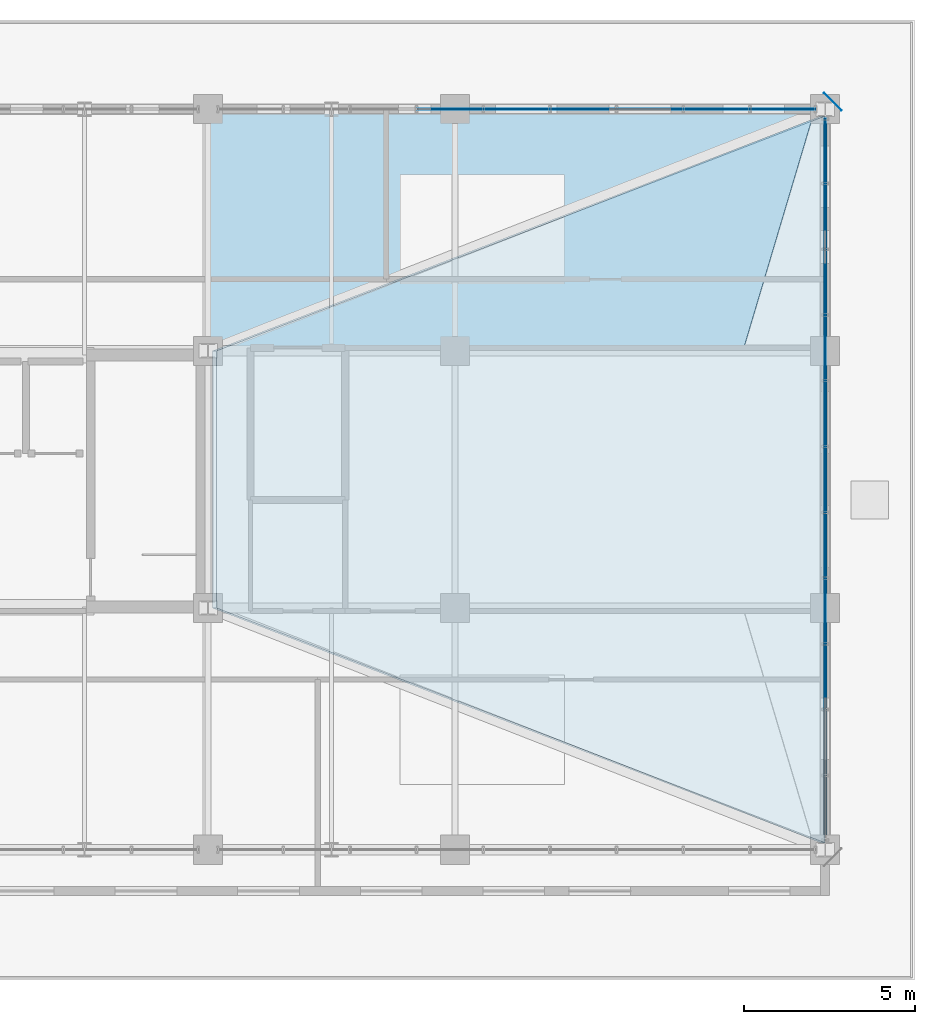
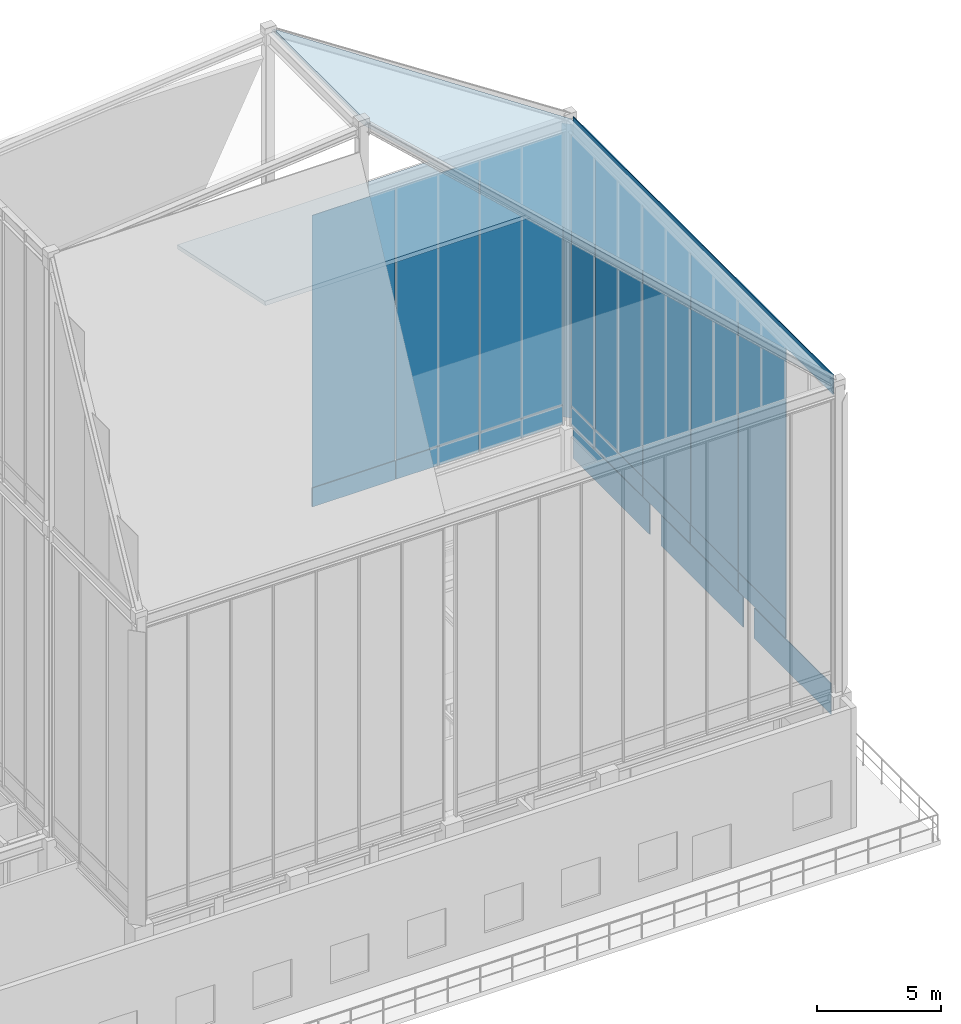
# One storey, part 44 of 49: 21 plates, 2 slabs, 2 elements without a shape of their own.
"""IFC4 building model written with IfcOpenShell, lengths in metres."""

from ifc_helpers import new_model, si_unit, direction, frame, origin, origin_2d, place, context, subcontext, project, spatial, polyline, rectangle, outline, extrude, source, transform, mapped, material, layer, layer_set, type_object, element, aggregate, save


model = new_model("IFC4")

# Units and contexts
model_context = context("Model", 3, precision=1e-05, world=origin(), true_north=direction((0.0, 1.0)))
body_context = subcontext(model_context, "Body", "Model", "MODEL_VIEW")
ifc_project = project(units=[si_unit("LENGTHUNIT", "METRE"), si_unit("AREAUNIT", "SQUARE_METRE"), si_unit("VOLUMEUNIT", "CUBIC_METRE"), si_unit("PLANEANGLEUNIT", "RADIAN"), si_unit("MASSUNIT", "GRAM", prefix="KILO")], contexts=[model_context])

# Site, building, storey
site_placement = place(None, origin())
site = spatial("IfcSite", under=ifc_project, at=site_placement, CompositionType="ELEMENT")
building_placement = place(site_placement, origin())
building = spatial("IfcBuilding", under=site, at=building_placement, Name="Kaliganga Portal Commons", CompositionType="ELEMENT")
storey_placement = place(building_placement, frame((0.0, 0.0, 298.0)))
storey = spatial("IfcBuildingStorey", under=building, at=storey_placement, Name="L77", CompositionType="ELEMENT", Elevation=298.0)

# Slabs
ifc_material_1 = material(Name="Concrete C40/50", Category="concrete")
ifc_layer_1 = layer(ifc_material_1, 0.18994140625)
ifc_layer_set_1 = layer_set([ifc_layer_1], Name="Concrete C40/50")
slab_type = type_object("IfcSlabType", Name="SLB-CANOPY-190", PredefinedType="ROOF", material=ifc_layer_set_1)
slab_1_placement = place(storey_placement, frame((46.800048828125, 21.800048828125, 21.0), z_axis=(0.639887010231, 0.0, 0.768469006621), x_axis=(0.0, 1.0, 0.0)))
element("IfcSlab", 1, at=slab_1_placement, inside=storey, type_object=slab_type, Name="Sculpted Crown Canopy Roof Facet E", PredefinedType="ROOF", context=body_context, shape_type="SweptSolid", body=[
    extrude(outline(polyline([(0.0, 0.0), (21.199951171875, 0.0), (14.349853515625, 23.097873625433216), (6.849853515625, 23.097873625433216), (0.0, 0.0)])), origin(), (0.0, 0.0, -1.0), 0.18994140625),
])
slab_2_placement = place(storey_placement, frame((46.5, 43.199951171875, 21.050048828125), z_axis=(0.0, 0.208106265548, 0.97810622237), x_axis=(-1.0, 0.0, 0.0)))
element("IfcSlab", 2, at=slab_2_placement, inside=storey, type_object=slab_type, Name="Sculpted Crown Canopy Roof Facet WELL_N", PredefinedType="ROOF", context=body_context, shape_type="SweptSolid", body=[
    extrude(outline(polyline([(0.0, 0.0), (17.85009765625, 0.0), (17.85009765625, 7.207856025126105), (2.10009765625, 7.207856025126105), (0.0, 0.0)])), origin(), (0.0, 0.0, -1.0), 0.18994140625),
])

# Curtain wall, plates
ifc_material_2 = material(Name="Anodized Aluminium and Laminated Low-E Glass", Category="aluminium")
ifc_layer_2 = layer(ifc_material_2, 0.25)
ifc_layer_set_2 = layer_set([ifc_layer_2], Name="Anodized Aluminium and Laminated Low-E Glass")
curtain_wall_type = type_object("IfcCurtainWallType", Name="CW-SYS-06", PredefinedType="NOTDEFINED", material=ifc_layer_set_2)
curtain_wall_1_placement = place(storey_placement, origin())
curtain_wall_1 = element("IfcCurtainWall", 3, at=curtain_wall_1_placement, inside=storey, type_object=curtain_wall_type, Name="CW 06 L77 NE", PredefinedType="NOTDEFINED")
ifc_material_3 = material(Name="Insulated Dark Spandrel Panel", Category="metal")
ifc_layer_3 = layer(ifc_material_3, 0.044921875)
ifc_layer_set_3 = layer_set([ifc_layer_3], Name="Insulated Dark Spandrel Panel")
plate_type_1 = type_object("IfcPlateType", Name="PLT-SPN-45", PredefinedType="SHEET", material=ifc_layer_set_3)
shared_shape_1 = source(origin(), body_context, "Body", "SweptSolid", [
    extrude(rectangle(XDim=3.848876953125, YDim=0.044921875, at=origin_2d()), origin(), (0.0, 0.0, 1.0), 0.929931640625),
])
plate_1_placement = place(storey_placement, frame((44.605712890625, 43.199951171875, 6.01025390625), z_axis=(0.0, 0.0, 1.0), x_axis=(-1.0, 0.0, 0.0)))
plate_1 = element("IfcPlate", 4, at=plate_1_placement, type_object=plate_type_1, Name="CW:06:L77:NE Spandrel 00", PredefinedType="SHEET", context=body_context, shape_type="MappedRepresentation", body=[
    mapped(shared_shape_1, transform((0.0, 0.0, 0.0), x_axis=(1.0, 0.0, 0.0), y_axis=(0.0, 1.0, 0.0), z_axis=(0.0, 0.0, 1.0), scale=1.0)),
])
plate_2_placement = place(storey_placement, frame((40.716796875, 43.199951171875, 6.01025390625), z_axis=(0.0, 0.0, 1.0), x_axis=(-1.0, 0.0, 0.0)))
plate_2 = element("IfcPlate", 5, at=plate_2_placement, type_object=plate_type_1, Name="CW:06:L77:NE Spandrel 02", PredefinedType="SHEET", context=body_context, shape_type="MappedRepresentation", body=[
    mapped(shared_shape_1, transform((0.0, 0.0, 0.0), x_axis=(1.0, 0.0, 0.0), y_axis=(0.0, 1.0, 0.0), z_axis=(0.0, 0.0, 1.0), scale=1.0)),
])
plate_3_placement = place(storey_placement, frame((36.827880859375, 43.199951171875, 6.01025390625), z_axis=(0.0, 0.0, 1.0), x_axis=(-1.0, 0.0, 0.0)))
plate_3 = element("IfcPlate", 6, at=plate_3_placement, type_object=plate_type_1, Name="CW:06:L77:NE Spandrel 04", PredefinedType="SHEET", context=body_context, shape_type="MappedRepresentation", body=[
    mapped(shared_shape_1, transform((0.0, 0.0, 0.0), x_axis=(1.0, 0.0, 0.0), y_axis=(0.0, 1.0, 0.0), z_axis=(0.0, 0.0, 1.0), scale=1.0)),
])
ifc_material_4 = material(Name="Dark Solar-Control Laminated Low-E IGU", Category="glass")
ifc_layer_4 = layer(ifc_material_4, 0.028076171875)
ifc_layer_set_4 = layer_set([ifc_layer_4], Name="Dark Solar-Control Laminated Low-E IGU")
plate_type_2 = type_object("IfcPlateType", Name="PLT-GLZ-28", PredefinedType="CURTAIN_PANEL", material=ifc_layer_set_4)
shared_shape_2 = source(origin(), body_context, "Body", "SweptSolid", [
    extrude(rectangle(XDim=3.848876953125, YDim=0.028076171875, at=origin_2d()), origin(), (0.0, 0.0, 1.0), 13.35009765625),
])
plate_4_placement = place(storey_placement, frame((44.605712890625, 43.199951171875, 6.9599609375), z_axis=(0.0, 0.0, 1.0), x_axis=(-1.0, 0.0, 0.0)))
plate_4 = element("IfcPlate", 7, at=plate_4_placement, type_object=plate_type_2, Name="CW:06:L77:NE Vision IGU 00", PredefinedType="CURTAIN_PANEL", context=body_context, shape_type="MappedRepresentation", body=[
    mapped(shared_shape_2, transform((0.0, 0.0, 0.0), x_axis=(1.0, 0.0, 0.0), y_axis=(0.0, 1.0, 0.0), z_axis=(0.0, 0.0, 1.0), scale=1.0)),
])
plate_5_placement = place(storey_placement, frame((40.716796875, 43.199951171875, 6.9599609375), z_axis=(0.0, 0.0, 1.0), x_axis=(-1.0, 0.0, 0.0)))
plate_5 = element("IfcPlate", 8, at=plate_5_placement, type_object=plate_type_2, Name="CW:06:L77:NE Vision IGU 02", PredefinedType="CURTAIN_PANEL", context=body_context, shape_type="MappedRepresentation", body=[
    mapped(shared_shape_2, transform((0.0, 0.0, 0.0), x_axis=(1.0, 0.0, 0.0), y_axis=(0.0, 1.0, 0.0), z_axis=(0.0, 0.0, 1.0), scale=1.0)),
])
plate_6_placement = place(storey_placement, frame((36.827880859375, 43.199951171875, 6.9599609375), z_axis=(0.0, 0.0, 1.0), x_axis=(-1.0, 0.0, 0.0)))
plate_6 = element("IfcPlate", 9, at=plate_6_placement, type_object=plate_type_2, Name="CW:06:L77:NE Vision IGU 04", PredefinedType="CURTAIN_PANEL", context=body_context, shape_type="MappedRepresentation", body=[
    mapped(shared_shape_2, transform((0.0, 0.0, 0.0), x_axis=(1.0, 0.0, 0.0), y_axis=(0.0, 1.0, 0.0), z_axis=(0.0, 0.0, 1.0), scale=1.0)),
])
aggregate(curtain_wall_1, [plate_1, plate_4, plate_2, plate_5, plate_3, plate_6])

curtain_wall_2_placement = place(storey_placement, origin())
curtain_wall_2 = element("IfcCurtainWall", 10, at=curtain_wall_2_placement, inside=storey, type_object=curtain_wall_type, Name="CW 06 L77 E", PredefinedType="NOTDEFINED")
shared_shape_3 = source(origin(), body_context, "Body", "SweptSolid", [
    extrude(rectangle(XDim=3.79638671875, YDim=0.044921875, at=origin_2d()), origin(), (0.0, 0.0, 1.0), 0.929931640625),
])
plate_7_placement = place(storey_placement, frame((46.800048828125, 27.6044921875, 6.01025390625), z_axis=(0.0, 0.0, 1.0), x_axis=(0.0, 1.0, 0.0)))
plate_7 = element("IfcPlate", 11, at=plate_7_placement, type_object=plate_type_1, Name="CW:06:L77:E Spandrel 02", PredefinedType="SHEET", context=body_context, shape_type="MappedRepresentation", body=[
    mapped(shared_shape_3, transform((0.0, 0.0, 0.0), x_axis=(1.0, 0.0, 0.0), y_axis=(0.0, 1.0, 0.0), z_axis=(0.0, 0.0, 1.0), scale=1.0)),
])
plate_8_placement = place(storey_placement, frame((46.800048828125, 31.44091796875, 6.01025390625), z_axis=(0.0, 0.0, 1.0), x_axis=(0.0, 1.0, 0.0)))
plate_8 = element("IfcPlate", 12, at=plate_8_placement, type_object=plate_type_1, Name="CW:06:L77:E Spandrel 04", PredefinedType="SHEET", context=body_context, shape_type="MappedRepresentation", body=[
    mapped(shared_shape_3, transform((0.0, 0.0, 0.0), x_axis=(1.0, 0.0, 0.0), y_axis=(0.0, 1.0, 0.0), z_axis=(0.0, 0.0, 1.0), scale=1.0)),
])
plate_9_placement = place(storey_placement, frame((46.800048828125, 35.27734375, 6.01025390625), z_axis=(0.0, 0.0, 1.0), x_axis=(0.0, 1.0, 0.0)))
plate_9 = element("IfcPlate", 13, at=plate_9_placement, type_object=plate_type_1, Name="CW:06:L77:E Spandrel 06", PredefinedType="SHEET", context=body_context, shape_type="MappedRepresentation", body=[
    mapped(shared_shape_3, transform((0.0, 0.0, 0.0), x_axis=(1.0, 0.0, 0.0), y_axis=(0.0, 1.0, 0.0), z_axis=(0.0, 0.0, 1.0), scale=1.0)),
])
plate_10_placement = place(storey_placement, frame((46.800048828125, 39.113525390625, 6.01025390625), z_axis=(0.0, 0.0, 1.0), x_axis=(0.0, 1.0, 0.0)))
plate_10 = element("IfcPlate", 14, at=plate_10_placement, type_object=plate_type_1, Name="CW:06:L77:E Spandrel 08", PredefinedType="SHEET", context=body_context, shape_type="MappedRepresentation", body=[
    mapped(shared_shape_3, transform((0.0, 0.0, 0.0), x_axis=(1.0, 0.0, 0.0), y_axis=(0.0, 1.0, 0.0), z_axis=(0.0, 0.0, 1.0), scale=1.0)),
])
shared_shape_4 = source(origin(), body_context, "Body", "SweptSolid", [
    extrude(rectangle(XDim=3.79638671875, YDim=0.028076171875, at=origin_2d()), origin(), (0.0, 0.0, 1.0), 13.35009765625),
])
plate_11_placement = place(storey_placement, frame((46.800048828125, 27.6044921875, 6.9599609375), z_axis=(0.0, 0.0, 1.0), x_axis=(0.0, 1.0, 0.0)))
plate_11 = element("IfcPlate", 15, at=plate_11_placement, type_object=plate_type_2, Name="CW:06:L77:E Vision IGU 02", PredefinedType="CURTAIN_PANEL", context=body_context, shape_type="MappedRepresentation", body=[
    mapped(shared_shape_4, transform((0.0, 0.0, 0.0), x_axis=(1.0, 0.0, 0.0), y_axis=(0.0, 1.0, 0.0), z_axis=(0.0, 0.0, 1.0), scale=1.0)),
])
plate_12_placement = place(storey_placement, frame((46.800048828125, 31.44091796875, 6.9599609375), z_axis=(0.0, 0.0, 1.0), x_axis=(0.0, 1.0, 0.0)))
plate_12 = element("IfcPlate", 16, at=plate_12_placement, type_object=plate_type_2, Name="CW:06:L77:E Vision IGU 04", PredefinedType="CURTAIN_PANEL", context=body_context, shape_type="MappedRepresentation", body=[
    mapped(shared_shape_4, transform((0.0, 0.0, 0.0), x_axis=(1.0, 0.0, 0.0), y_axis=(0.0, 1.0, 0.0), z_axis=(0.0, 0.0, 1.0), scale=1.0)),
])
plate_13_placement = place(storey_placement, frame((46.800048828125, 35.27734375, 6.9599609375), z_axis=(0.0, 0.0, 1.0), x_axis=(0.0, 1.0, 0.0)))
plate_13 = element("IfcPlate", 17, at=plate_13_placement, type_object=plate_type_2, Name="CW:06:L77:E Vision IGU 06", PredefinedType="CURTAIN_PANEL", context=body_context, shape_type="MappedRepresentation", body=[
    mapped(shared_shape_4, transform((0.0, 0.0, 0.0), x_axis=(1.0, 0.0, 0.0), y_axis=(0.0, 1.0, 0.0), z_axis=(0.0, 0.0, 1.0), scale=1.0)),
])
plate_14_placement = place(storey_placement, frame((46.800048828125, 39.113525390625, 6.9599609375), z_axis=(0.0, 0.0, 1.0), x_axis=(0.0, 1.0, 0.0)))
plate_14 = element("IfcPlate", 18, at=plate_14_placement, type_object=plate_type_2, Name="CW:06:L77:E Vision IGU 08", PredefinedType="CURTAIN_PANEL", context=body_context, shape_type="MappedRepresentation", body=[
    mapped(shared_shape_4, transform((0.0, 0.0, 0.0), x_axis=(1.0, 0.0, 0.0), y_axis=(0.0, 1.0, 0.0), z_axis=(0.0, 0.0, 1.0), scale=1.0)),
])
shared_shape_5 = source(origin(), body_context, "Body", "SweptSolid", [
    extrude(rectangle(XDim=1.878173828125, YDim=0.044921875, at=origin_2d()), origin(), (0.0, 0.0, 1.0), 0.929931640625),
])
plate_15_placement = place(storey_placement, frame((46.800048828125, 41.990966796875, 6.01025390625), z_axis=(0.0, 0.0, 1.0), x_axis=(0.0, 1.0, 0.0)))
plate_15 = element("IfcPlate", 19, at=plate_15_placement, type_object=plate_type_1, Name="CW:06:L77:E Spandrel 10", PredefinedType="SHEET", context=body_context, shape_type="MappedRepresentation", body=[
    mapped(shared_shape_5, transform((0.0, 0.0, 0.0), x_axis=(1.0, 0.0, 0.0), y_axis=(0.0, 1.0, 0.0), z_axis=(0.0, 0.0, 1.0), scale=1.0)),
])
shared_shape_6 = source(origin(), body_context, "Body", "SweptSolid", [
    extrude(rectangle(XDim=1.878173828125, YDim=0.028076171875, at=origin_2d()), origin(), (0.0, 0.0, 1.0), 13.35009765625),
])
plate_16_placement = place(storey_placement, frame((46.800048828125, 41.990966796875, 6.9599609375), z_axis=(0.0, 0.0, 1.0), x_axis=(0.0, 1.0, 0.0)))
plate_16 = element("IfcPlate", 20, at=plate_16_placement, type_object=plate_type_2, Name="CW:06:L77:E Vision IGU 10", PredefinedType="CURTAIN_PANEL", context=body_context, shape_type="MappedRepresentation", body=[
    mapped(shared_shape_6, transform((0.0, 0.0, 0.0), x_axis=(1.0, 0.0, 0.0), y_axis=(0.0, 1.0, 0.0), z_axis=(0.0, 0.0, 1.0), scale=1.0)),
])
aggregate(curtain_wall_2, [plate_7, plate_11, plate_8, plate_12, plate_9, plate_13, plate_10, plate_14, plate_15, plate_16])

# Plates
shared_shape_7 = source(origin(), body_context, "Body", "SweptSolid", [
    extrude(rectangle(XDim=20.89990234375, YDim=0.044921875, at=origin_2d()), origin(), (0.0, 0.0, 1.0), 0.9599609375),
])
plate_17_placement = place(storey_placement, frame((46.820068359375, 32.39990234375, 20.239990234375), z_axis=(0.0, 0.0, 1.0), x_axis=(0.0, 1.0, 0.0)))
element("IfcPlate", 21, at=plate_17_placement, inside=storey, type_object=plate_type_1, Name="Crown Mid-Ring Spandrel Fascia East", PredefinedType="SHEET", context=body_context, shape_type="MappedRepresentation", body=[
    mapped(shared_shape_7, transform((0.0, 0.0, 0.0), x_axis=(1.0, 0.0, 0.0), y_axis=(0.0, 1.0, 0.0), z_axis=(0.0, 0.0, 1.0), scale=1.0)),
])
shared_shape_8 = source(origin(), body_context, "Body", "SweptSolid", [
    extrude(rectangle(XDim=6.14990234375, YDim=0.044921875, at=origin_2d()), origin(), (0.0, 0.0, 1.0), 1.5),
])
for number, where, z_axis, x_axis, name in (
    (22, (46.780029296875, 25.125, 4.5), (0.0, 0.0, 1.0), (0.0, 1.0, 0.0), "Crown Eave Spandrel Fascia East 1"),
    (23, (46.780029296875, 39.675048828125, 4.5), (0.0, 0.0, 1.0), (0.0, 1.0, 0.0), "Crown Eave Spandrel Fascia East 3"),
):
    element("IfcPlate", number, at=place(storey_placement, frame(where, z_axis=z_axis, x_axis=x_axis)), inside=storey, type_object=plate_type_1, Name=name, PredefinedType="SHEET", context=body_context, shape_type="MappedRepresentation", body=[
        mapped(shared_shape_8, transform((0.0, 0.0, 0.0), x_axis=(1.0, 0.0, 0.0), y_axis=(0.0, 1.0, 0.0), z_axis=(0.0, 0.0, 1.0), scale=1.0)),
    ])
shared_shape_9 = source(origin(), body_context, "Body", "SweptSolid", [
    extrude(rectangle(XDim=6.60009765625, YDim=0.044921875, at=origin_2d()), origin(), (0.0, 0.0, 1.0), 1.5),
])
plate_18_placement = place(storey_placement, frame((46.780029296875, 32.39990234375, 4.5), z_axis=(0.0, 0.0, 1.0), x_axis=(0.0, 1.0, 0.0)))
element("IfcPlate", 24, at=plate_18_placement, inside=storey, type_object=plate_type_1, Name="Crown Eave Spandrel Fascia East 2", PredefinedType="SHEET", context=body_context, shape_type="MappedRepresentation", body=[
    mapped(shared_shape_9, transform((0.0, 0.0, 0.0), x_axis=(1.0, 0.0, 0.0), y_axis=(0.0, 1.0, 0.0), z_axis=(0.0, 0.0, 1.0), scale=1.0)),
])
ifc_material_5 = material(Name="Perforated Bronze-Anodized Aluminium Solar Screen", Category="aluminium")
ifc_layer_5 = layer(ifc_material_5, 0.01806640625)
ifc_layer_set_5 = layer_set([ifc_layer_5], Name="Perforated Bronze-Anodized Aluminium Solar Screen")
plate_type_3 = type_object("IfcPlateType", Name="PLT-SCR-18", PredefinedType="USERDEFINED", material=ifc_layer_set_5)
shared_shape_10 = source(origin(), body_context, "Body", "SweptSolid", [
    extrude(rectangle(XDim=0.719970703125, YDim=0.01806640625, at=origin_2d()), origin(), (0.0, 0.0, 1.0), 14.39990234375),
])
plate_19_placement = place(storey_placement, frame((47.02001953125, 43.419921875, 6.0), z_axis=(0.0, 0.0, 1.0), x_axis=(0.707106781187, -0.707106781187, 0.0)))
element("IfcPlate", 25, at=plate_19_placement, inside=storey, type_object=plate_type_3, Name="Crown Corner Solar Screen Closure NE", ObjectType="SOLAR SCREEN", PredefinedType="USERDEFINED", context=body_context, shape_type="MappedRepresentation", body=[
    mapped(shared_shape_10, transform((0.0, 0.0, 0.0), x_axis=(1.0, 0.0, 0.0), y_axis=(0.0, 1.0, 0.0), z_axis=(0.0, 0.0, 1.0), scale=1.0)),
])

save(model, "model.ifc")
